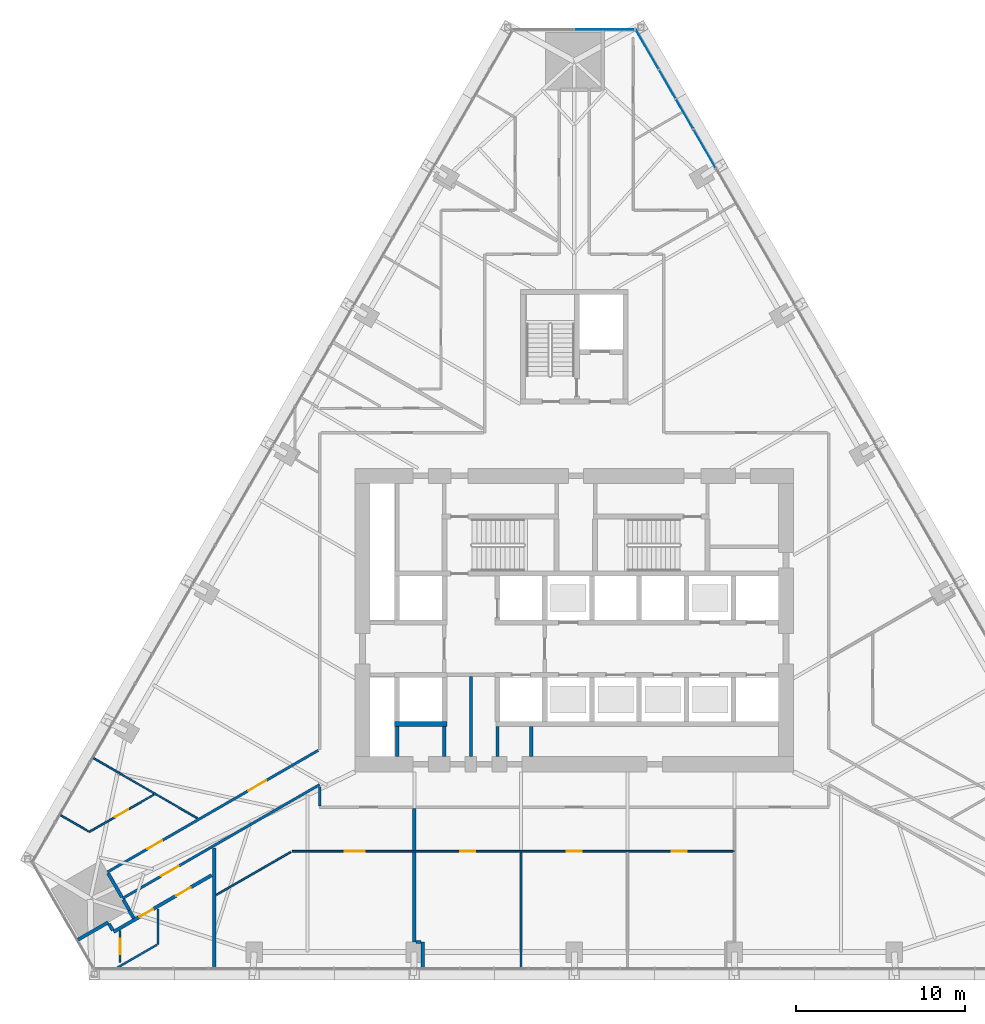
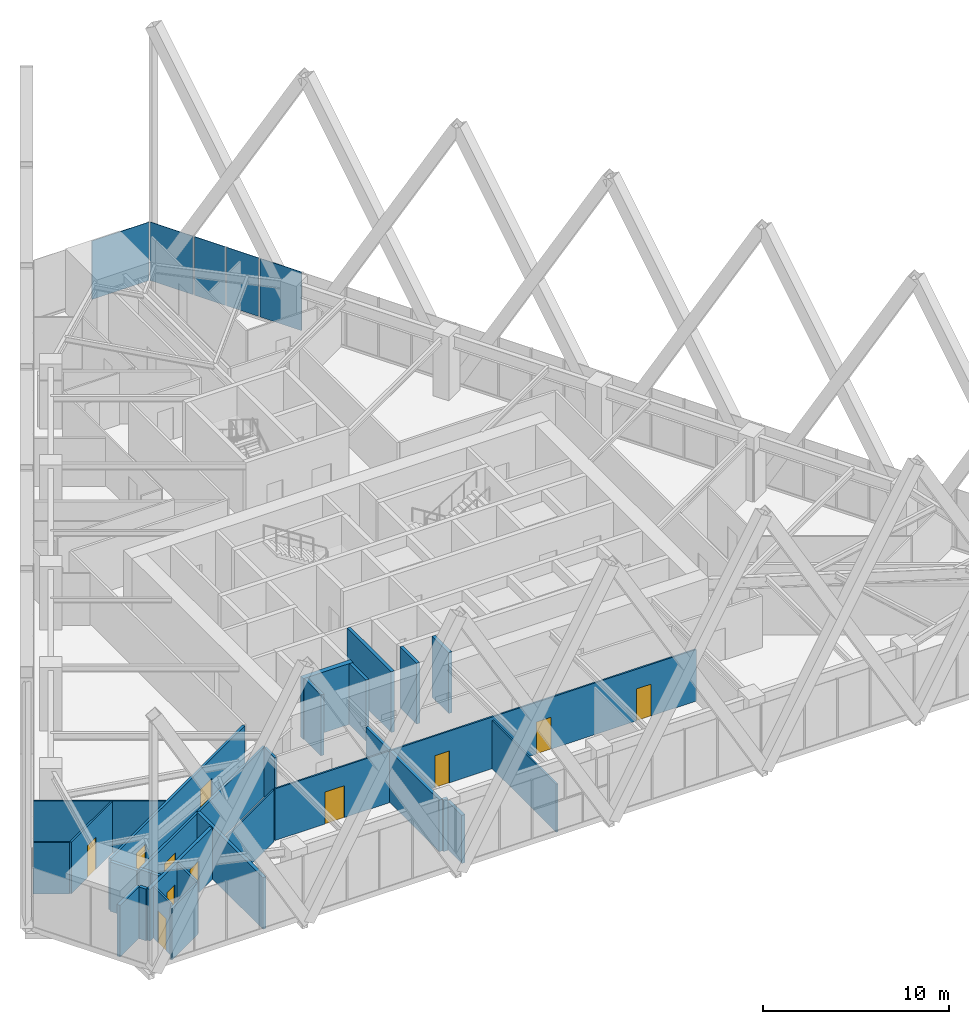
# One storey, part 15 of 21: 29 walls, 11 doors, 5 plates, 11 openings, 2 elements without a shape of their own.
"""IFC4 building model written with IfcOpenShell, lengths in metres."""

from ifc_helpers import new_model, si_unit, direction, frame, frame_2d, origin, place, context, subcontext, project, spatial, polyline, rectangle, outline, extrude, material, layer, layer_set, type_object, element, fill, aggregate, save


model = new_model("IFC4")

# Units and contexts
model_context = context("Model", 3, precision=1e-05, world=origin(), true_north=direction((0.0, 1.0)))
body_context = subcontext(model_context, "Body", "Model", "MODEL_VIEW")
ifc_project = project(units=[si_unit("LENGTHUNIT", "METRE"), si_unit("AREAUNIT", "SQUARE_METRE"), si_unit("VOLUMEUNIT", "CUBIC_METRE"), si_unit("PLANEANGLEUNIT", "RADIAN"), si_unit("MASSUNIT", "GRAM", prefix="KILO")], contexts=[model_context])

# Site, building, storey
site_placement = place(None, origin())
site = spatial("IfcSite", under=ifc_project, at=site_placement, CompositionType="ELEMENT")
building_placement = place(site_placement, origin())
building = spatial("IfcBuilding", under=site, at=building_placement, Name="Firuza Gate Tower and Library", CompositionType="ELEMENT")
storey_placement = place(building_placement, frame((0.0, 0.0, 73.60009765625)))
storey = spatial("IfcBuildingStorey", under=building, at=storey_placement, Name="L16", CompositionType="ELEMENT", Elevation=73.60009765625)

# Curtain wall, plate
ifc_material_1 = material(Name="Aluminium 6063-T6", Category="aluminium")
ifc_layer_1 = layer(ifc_material_1, 0.14990234375)
ifc_layer_set_1 = layer_set([ifc_layer_1], Name="Corner curtain wall, chamfers")
curtain_wall_type_1 = type_object("IfcCurtainWallType", Name="Corner curtain wall, chamfers", PredefinedType="NOTDEFINED", material=ifc_layer_set_1)
placement = place(storey_placement, origin())
curtain_wall_1 = element("IfcCurtainWall", 1, at=placement, inside=storey, type_object=curtain_wall_type_1, Name="CW4 L16 N corner", PredefinedType="NOTDEFINED")
ifc_material_2 = material(Name="Fritted glass", Category="glass")
ifc_layer_2 = layer(ifc_material_2, 0.030029296875)
ifc_layer_set_2 = layer_set([ifc_layer_2], Name="Fritted glass unit, corners")
plate_type_1 = type_object("IfcPlateType", Name="Fritted glass unit, corners", PredefinedType="CURTAIN_PANEL", material=ifc_layer_set_2)
plate_1_placement = place(storey_placement, frame((78.603271484375, 110.026611328125, 0.14990234375), z_axis=(0.0, 1.0, 0.0), x_axis=(-1.0, 0.0, 0.0)))
plate_1 = element("IfcPlate", 2, at=plate_1_placement, type_object=plate_type_1, Name="Glass unit", PredefinedType="CURTAIN_PANEL", context=body_context, shape_type="SweptSolid", body=[
    extrude(outline(polyline([(0.0, 0.0), (3.563232421875, 0.0), (3.563232421875, 3.85009765625), (0.0, 3.85009765625), (0.0, 0.0)])), origin(), (0.0, 0.0, -1.0), 0.030029296875),
])
aggregate(curtain_wall_1, [plate_1])

# Curtain wall, plates
ifc_material_3 = material(Name="Aluminium 6063-T6", Category="aluminium")
ifc_layer_3 = layer(ifc_material_3, 0.14990234375)
ifc_layer_set_3 = layer_set([ifc_layer_3], Name="Unitised curtain wall, offices")
curtain_wall_type_2 = type_object("IfcCurtainWallType", Name="Unitised curtain wall, offices", PredefinedType="NOTDEFINED", material=ifc_layer_set_3)
curtain_wall_2 = element("IfcCurtainWall", 3, at=placement, inside=storey, type_object=curtain_wall_type_2, Name="CW1 L16 E face", PredefinedType="NOTDEFINED")
ifc_material_4 = material(Name="Fritted glass", Category="glass")
ifc_layer_4 = layer(ifc_material_4, 0.030029296875)
ifc_layer_set_4 = layer_set([ifc_layer_4], Name="Fritted glass unit, offices")
plate_type_2 = type_object("IfcPlateType", Name="Fritted glass unit, offices", PredefinedType="CURTAIN_PANEL", material=ifc_layer_set_4)
plate_2_placement = place(storey_placement, frame((82.0478515625, 104.14453125, 0.14990234375), z_axis=(0.86604893727, 0.499959236591, 0.0), x_axis=(-0.499959236591, 0.86604893727, 0.0)))
plate_2 = element("IfcPlate", 4, at=plate_2_placement, type_object=plate_type_2, Name="Glass unit", PredefinedType="CURTAIN_PANEL", context=body_context, shape_type="SweptSolid", body=[
    extrude(outline(polyline([(0.0, 0.0), (1.9933265720713123, 0.0), (1.9933265720713123, 3.85009765625), (0.0, 3.85009765625), (0.0, 0.0)])), origin(), (0.0, 0.0, -1.0), 0.030029296875),
])
plate_3_placement = place(storey_placement, frame((81.01123046875, 105.940185546875, 0.14990234375), z_axis=(0.866005709019, 0.500034110783, 0.0), x_axis=(-0.500034110783, 0.866005709019, 0.0)))
plate_3 = element("IfcPlate", 5, at=plate_3_placement, type_object=plate_type_2, Name="Glass unit", PredefinedType="CURTAIN_PANEL", context=body_context, shape_type="SweptSolid", body=[
    extrude(outline(polyline([(0.0, 0.0), (1.9212556476795428, 0.0), (1.9212556476795428, 3.85009765625), (0.0, 3.85009765625), (0.0, 0.0)])), origin(), (0.0, 0.0, -1.0), 0.030029296875),
])
ifc_material_5 = material(Name="Glazed ceramic tile")
ifc_layer_5 = layer(ifc_material_5, 0.030029296875)
ifc_layer_set_5 = layer_set([ifc_layer_5], Name="Opaque ceramic panel, offices")
plate_type_3 = type_object("IfcPlateType", Name="Opaque ceramic panel, offices", PredefinedType="CURTAIN_PANEL", material=ifc_layer_set_5)
plate_4_placement = place(storey_placement, frame((83.38623046875, 101.82666015625, 0.14990234375), z_axis=(0.866000809756, 0.500042595688, 0.0), x_axis=(-0.500042595688, 0.866000809756, 0.0)))
plate_4 = element("IfcPlate", 6, at=plate_4_placement, type_object=plate_type_3, Name="Opaque ceramic panel", PredefinedType="CURTAIN_PANEL", context=body_context, shape_type="SweptSolid", body=[
    extrude(outline(polyline([(0.0, 0.0), (2.5964584916306648, 0.0), (2.5964584916306648, 3.85009765625), (0.0, 3.85009765625), (0.0, 0.0)])), origin(), (0.0, 0.0, -1.0), 0.030029296875),
])
plate_5_placement = place(storey_placement, frame((80.010498046875, 107.67333984375, 0.14990234375), z_axis=(0.866033233673, 0.499986437991, 0.0), x_axis=(-0.499986437991, 0.866033233673, 0.0)))
plate_5 = element("IfcPlate", 7, at=plate_5_placement, type_object=plate_type_3, Name="Opaque ceramic panel", PredefinedType="CURTAIN_PANEL", context=body_context, shape_type="SweptSolid", body=[
    extrude(outline(polyline([(0.0, 0.0), (2.6685294124911483, 0.0), (2.6685294124911483, 3.85009765625), (0.0, 3.85009765625), (0.0, 0.0)])), origin(), (0.0, 0.0, -1.0), 0.030029296875),
])
aggregate(curtain_wall_2, [plate_4, plate_2, plate_3, plate_5])

# Walls
ifc_material_6 = material(Name="Plasterboard on steel studs", Category="steel")
ifc_layer_6 = layer(ifc_material_6, 0.199951171875)
ifc_layer_set_6 = layer_set([ifc_layer_6], Name="Core partition 200 EI 120")
wall_type_1 = type_object("IfcWallType", Name="Core partition 200 EI 120", PredefinedType="PARTITIONING", material=ifc_layer_set_6)
for number, where, z_axis, x_axis, name in (
    (8, (64.5, 66.89990234375, 0.0), (0.0, 0.0, 1.0), (0.0, 1.0, 0.0), "Core partition L16 5"),
    (9, (67.300048828125, 66.89990234375, 0.0), (0.0, 0.0, 1.0), (0.0, 1.0, 0.0), "Core partition L16 7"),
):
    element("IfcWall", number, at=place(storey_placement, frame(where, z_axis=z_axis, x_axis=x_axis)), inside=storey, type_object=wall_type_1, Name=name, PredefinedType="PARTITIONING", context=body_context, shape_type="SweptSolid", body=[
        extrude(rectangle(XDim=1.800048828125, YDim=0.199951171875, at=frame_2d((0.89990234375, 0.0))), origin(), (0.0, 0.0, 1.0), 4.0),
    ])
wall_1_placement = place(storey_placement, frame((68.875, 66.89990234375, 0.0), z_axis=(0.0, 0.0, 1.0), x_axis=(0.0, 1.0, 0.0)))
element("IfcWall", 10, at=wall_1_placement, inside=storey, type_object=wall_type_1, Name="Core partition L16 10", PredefinedType="PARTITIONING", context=body_context, shape_type="SweptSolid", body=[
    extrude(rectangle(XDim=4.75, YDim=0.199951171875, at=frame_2d((2.375, 0.0))), origin(), (0.0, 0.0, 1.0), 4.0),
])
for number, where, z_axis, x_axis, name in (
    (11, (70.449951171875, 66.89990234375, 0.0), (0.0, 0.0, 1.0), (0.0, 1.0, 0.0), "Core partition L16 11"),
    (12, (72.447998046875, 66.89990234375, 0.0), (0.0, 0.0, 1.0), (0.0, 1.0, 0.0), "Core partition L16 12"),
):
    element("IfcWall", number, at=place(storey_placement, frame(where, z_axis=z_axis, x_axis=x_axis)), inside=storey, type_object=wall_type_1, Name=name, PredefinedType="PARTITIONING", context=body_context, shape_type="SweptSolid", body=[
        extrude(rectangle(XDim=1.800048828125, YDim=0.199951171875, at=frame_2d((0.89990234375, 0.0))), origin(), (0.0, 0.0, 1.0), 4.0),
    ])
ifc_material_7 = material(Name="Concrete C80/95", Category="concrete")
ifc_layer_7 = layer(ifc_material_7, 0.300048828125)
ifc_layer_set_7 = layer_set([ifc_layer_7], Name="Core wall 300 C80/95")
wall_type_2 = type_object("IfcWallType", Name="Core wall 300 C80/95", PredefinedType="SHEAR", material=ifc_layer_set_7)
wall_2_placement = place(storey_placement, frame((64.35009765625, 68.85009765625, 0.0), z_axis=(0.0, 0.0, 1.0), x_axis=(1.0, 0.0, 0.0)))
element("IfcWall", 13, at=wall_2_placement, inside=storey, type_object=wall_type_2, Name="Core wall L16 5", PredefinedType="SHEAR", context=body_context, shape_type="SweptSolid", body=[
    extrude(rectangle(XDim=3.099853515625, YDim=0.300048828125, at=frame_2d((1.5498046875, 0.0))), origin(), (0.0, 0.0, 1.0), 4.0),
])

# Wall, opening, door
ifc_material_8 = material(Name="Gypsum board partition")
ifc_layer_8 = layer(ifc_material_8, 0.14990234375)
ifc_layer_set_8 = layer_set([ifc_layer_8], Name="Corridor wall 150 double board on steel studs")
wall_type_3 = type_object("IfcWallType", Name="Corridor wall 150 double board on steel studs", PredefinedType="PARTITIONING", material=ifc_layer_set_8)
wall_3_placement = place(storey_placement, frame((59.89990234375, 65.242919921875, 0.0), z_axis=(0.0, 0.0, 1.0), x_axis=(-0.866023326939, -0.500003597184, 0.0)))
wall_3 = element("IfcWall", 14, at=wall_3_placement, inside=storey, type_object=wall_type_3, Name="f:L16:w020", PredefinedType="PARTITIONING", context=body_context, shape_type="SweptSolid", body=[
    extrude(rectangle(XDim=13.48046875, YDim=0.14990234375, at=frame_2d((6.740234375, 0.0))), origin(), (0.0, 0.0, 1.0), 3.246826171875),
])
opening_1_placement = place(wall_3_placement, frame((9.642578125, 0.0, 0.0)))
opening_1 = element("IfcOpeningElement", 15, at=opening_1_placement, cuts=wall_3, Name="Opening L16-18", PredefinedType="OPENING", context=body_context, shape_type="SweptSolid", body=[
    extrude(rectangle(XDim=1.199951171875, YDim=2.10009765625, at=frame_2d((0.60009765625, 1.050048828125))), frame((0.0, 0.0849609375, 0.0), z_axis=(0.0, -1.0, 0.0), x_axis=(1.0, 0.0, 0.0)), (0.0, 0.0, 1.0), 0.169921875),
])
ifc_material_9 = material(Name="Steel door and timber leaf", Category="steel")
door_type_1 = type_object("IfcDoorType", Name="Fire door 1200 x 2100 steel frame, double leaf", OperationType="NOTDEFINED", PredefinedType="DOOR", material=ifc_material_9)
door_1_placement = place(opening_1_placement, origin())
door_1 = element("IfcDoor", 16, at=door_1_placement, inside=storey, type_object=door_type_1, Name="f:L16:d018", OperationType="DOUBLE_DOOR_SINGLE_SWING", OverallHeight=2.10009765625, OverallWidth=1.199951171875, PredefinedType="DOOR", context=body_context, shape_type="SweptSolid", body=[
    extrude(rectangle(XDim=1.199951171875, YDim=2.10009765625, at=frame_2d((0.60009765625, 1.050048828125))), frame((0.0, 0.02490234375, 0.0), z_axis=(0.0, -1.0, 0.0), x_axis=(1.0, 0.0, 0.0)), (0.0, 0.0, 1.0), 0.050048828125),
])
fill(opening_1, door_1)

# Wall, openings, doors
wall_4_placement = place(storey_placement, frame((47.32763671875, 60.062744140625, 0.0), z_axis=(0.0, 0.0, 1.0), x_axis=(0.86602527873, 0.500000216601, 0.0)))
wall_4 = element("IfcWall", 17, at=wall_4_placement, inside=storey, type_object=wall_type_3, Name="f:L16:w021", PredefinedType="PARTITIONING", context=body_context, shape_type="SweptSolid", body=[
    extrude(rectangle(XDim=14.4306640625, YDim=0.14990234375, at=frame_2d((7.21533203125, 0.0))), origin(), (0.0, 0.0, 1.0), 3.39990234375),
])
opening_2_placement = place(wall_4_placement, frame((2.736572265625, 0.0, 0.0)))
opening_2 = element("IfcOpeningElement", 18, at=opening_2_placement, cuts=wall_4, Name="Opening L16-19", PredefinedType="OPENING", context=body_context, shape_type="SweptSolid", body=[
    extrude(rectangle(XDim=1.0, YDim=2.10009765625, at=frame_2d((0.5, 1.050048828125))), frame((0.0, 0.0849609375, 0.0), z_axis=(0.0, -1.0, 0.0), x_axis=(1.0, 0.0, 0.0)), (0.0, 0.0, 1.0), 0.169921875),
])
opening_3_placement = place(wall_4_placement, frame((9.648681640625, 0.0, 0.0)))
opening_3 = element("IfcOpeningElement", 19, at=opening_3_placement, cuts=wall_4, Name="Opening L16-20", PredefinedType="OPENING", context=body_context, shape_type="SweptSolid", body=[
    extrude(rectangle(XDim=1.199951171875, YDim=2.10009765625, at=frame_2d((0.60009765625, 1.050048828125))), frame((0.0, 0.0849609375, 0.0), z_axis=(0.0, -1.0, 0.0), x_axis=(1.0, 0.0, 0.0)), (0.0, 0.0, 1.0), 0.169921875),
])
ifc_material_10 = material(Name="Steel door and timber leaf", Category="steel")
door_type_2 = type_object("IfcDoorType", Name="Fire door 1000 x 2100 steel frame, timber leaf", OperationType="NOTDEFINED", PredefinedType="DOOR", material=ifc_material_10)
door_2_placement = place(opening_2_placement, origin())
door_2 = element("IfcDoor", 20, at=door_2_placement, inside=storey, type_object=door_type_2, Name="f:L16:d019", OperationType="SINGLE_SWING_LEFT", OverallHeight=2.10009765625, OverallWidth=1.0, PredefinedType="DOOR", context=body_context, shape_type="SweptSolid", body=[
    extrude(rectangle(XDim=1.0, YDim=2.10009765625, at=frame_2d((0.5, 1.050048828125))), frame((0.0, 0.02490234375, 0.0), z_axis=(0.0, -1.0, 0.0), x_axis=(1.0, 0.0, 0.0)), (0.0, 0.0, 1.0), 0.050048828125),
])
fill(opening_2, door_2)
door_3_placement = place(opening_3_placement, origin())
door_3 = element("IfcDoor", 21, at=door_3_placement, inside=storey, type_object=door_type_1, Name="f:L16:d020", OperationType="DOUBLE_DOOR_SINGLE_SWING", OverallHeight=2.10009765625, OverallWidth=1.199951171875, PredefinedType="DOOR", context=body_context, shape_type="SweptSolid", body=[
    extrude(rectangle(XDim=1.199951171875, YDim=2.10009765625, at=frame_2d((0.60009765625, 1.050048828125))), frame((0.0, 0.02490234375, 0.0), z_axis=(0.0, -1.0, 0.0), x_axis=(1.0, 0.0, 0.0)), (0.0, 0.0, 1.0), 0.050048828125),
])
fill(opening_3, door_3)

# Walls
wall_5_placement = place(storey_placement, frame((59.89990234375, 63.97509765625, 0.0), z_axis=(0.0, 0.0, 1.0), x_axis=(0.0, 1.0, 0.0)))
element("IfcWall", 22, at=wall_5_placement, inside=storey, type_object=wall_type_3, Name="f:L16:w048", PredefinedType="PARTITIONING", context=body_context, shape_type="SweptSolid", body=[
    extrude(rectangle(XDim=1.131103515625, YDim=0.14990234375, at=frame_2d((0.5654296875, 0.0))), origin(), (0.0, 0.0, 1.0), 3.246826171875),
])
ifc_material_11 = material(Name="Gypsum board partition")
ifc_layer_9 = layer(ifc_material_11, 0.199951171875)
ifc_layer_set_9 = layer_set([ifc_layer_9], Name="Demising wall 200 acoustic double stud")
wall_type_4 = type_object("IfcWallType", Name="Demising wall 200 acoustic double stud", PredefinedType="PARTITIONING", material=ifc_layer_set_9)
wall_6_placement = place(storey_placement, frame((65.624755859375, 55.9140625, 0.0), z_axis=(0.0, 0.0, 1.0), x_axis=(1.0, 0.0, 0.0)))
element("IfcWall", 23, at=wall_6_placement, inside=storey, type_object=wall_type_4, Name="f:L16:w000", PredefinedType="PARTITIONING", context=body_context, shape_type="SweptSolid", body=[
    extrude(rectangle(XDim=0.2900390625, YDim=0.199951171875, at=frame_2d((0.14501953125, 0.0))), origin(), (0.0, 0.0, 1.0), 3.39990234375),
])

# Wall, openings, doors
wall_7_placement = place(storey_placement, frame((47.694580078125, 56.521240234375, 0.0), z_axis=(0.0, 0.0, 1.0), x_axis=(0.86602261799, 0.500004825106, 0.0)))
wall_7 = element("IfcWall", 24, at=wall_7_placement, inside=storey, type_object=wall_type_4, Name="f:L16:w018", PredefinedType="PARTITIONING", context=body_context, shape_type="SweptSolid", body=[
    extrude(rectangle(XDim=6.7109375, YDim=0.199951171875, at=frame_2d((3.35546875, 0.0))), origin(), (0.0, 0.0, 1.0), 3.39990234375),
])
opening_4_placement = place(wall_7_placement, frame((1.77880859375, 0.0, 0.0)))
opening_4 = element("IfcOpeningElement", 25, at=opening_4_placement, cuts=wall_7, Name="Opening L16-16", PredefinedType="OPENING", context=body_context, shape_type="SweptSolid", body=[
    extrude(rectangle(XDim=0.89990234375, YDim=2.10009765625, at=frame_2d((0.449951171875, 1.050048828125))), frame((0.0, 0.10986328125, 0.0), z_axis=(0.0, -1.0, 0.0), x_axis=(1.0, 0.0, 0.0)), (0.0, 0.0, 1.0), 0.219970703125),
])
opening_5_placement = place(wall_7_placement, frame((4.265625, 0.0, 0.0)))
opening_5 = element("IfcOpeningElement", 26, at=opening_5_placement, cuts=wall_7, Name="Opening L16-17", PredefinedType="OPENING", context=body_context, shape_type="SweptSolid", body=[
    extrude(rectangle(XDim=1.0, YDim=2.10009765625, at=frame_2d((0.5, 1.050048828125))), frame((0.0, 0.10986328125, 0.0), z_axis=(0.0, -1.0, 0.0), x_axis=(1.0, 0.0, 0.0)), (0.0, 0.0, 1.0), 0.219970703125),
])
ifc_material_12 = material(Name="Timber door", Category="wood")
door_type_3 = type_object("IfcDoorType", Name="Door 1000 x 2100 timber leaf", OperationType="NOTDEFINED", PredefinedType="DOOR", material=ifc_material_12)
door_4_placement = place(opening_5_placement, origin())
door_4 = element("IfcDoor", 27, at=door_4_placement, inside=storey, type_object=door_type_3, Name="f:L16:d017", OperationType="SINGLE_SWING_RIGHT", OverallHeight=2.10009765625, OverallWidth=1.0, PredefinedType="DOOR", context=body_context, shape_type="SweptSolid", body=[
    extrude(rectangle(XDim=1.0, YDim=2.10009765625, at=frame_2d((0.5, 1.050048828125))), frame((0.0, 0.02490234375, 0.0), z_axis=(0.0, -1.0, 0.0), x_axis=(1.0, 0.0, 0.0)), (0.0, 0.0, 1.0), 0.050048828125),
])
fill(opening_5, door_4)
ifc_material_13 = material(Name="Timber door", Category="wood")
door_type_4 = type_object("IfcDoorType", Name="Door 900 x 2100 timber leaf", OperationType="NOTDEFINED", PredefinedType="DOOR", material=ifc_material_13)
door_5_placement = place(opening_4_placement, origin())
door_5 = element("IfcDoor", 28, at=door_5_placement, inside=storey, type_object=door_type_4, Name="f:L16:d016", OperationType="SINGLE_SWING_LEFT", OverallHeight=2.10009765625, OverallWidth=0.89990234375, PredefinedType="DOOR", context=body_context, shape_type="SweptSolid", body=[
    extrude(rectangle(XDim=0.89990234375, YDim=2.10009765625, at=frame_2d((0.449951171875, 1.050048828125))), frame((0.0, 0.02490234375, 0.0), z_axis=(0.0, -1.0, 0.0), x_axis=(1.0, 0.0, 0.0)), (0.0, 0.0, 1.0), 0.050048828125),
])
fill(opening_4, door_5)

# Walls
wall_8_placement = place(storey_placement, frame((45.5419921875, 56.029541015625, 0.0), z_axis=(0.0, 0.0, 1.0), x_axis=(0.866062227083, 0.499936214752, 0.0)))
element("IfcWall", 29, at=wall_8_placement, inside=storey, type_object=wall_type_4, Name="f:L16:w019", PredefinedType="PARTITIONING", context=body_context, shape_type="SweptSolid", body=[
    extrude(rectangle(XDim=2.109130859375, YDim=0.199951171875, at=frame_2d((1.0546875, 0.0))), origin(), (0.0, 0.0, 1.0), 3.39990234375),
])
wall_9_placement = place(storey_placement, frame((66.014892578125, 54.35400390625, 0.0), z_axis=(0.0, 0.0, 1.0), x_axis=(0.0, 1.0, 0.0)))
element("IfcWall", 30, at=wall_9_placement, inside=storey, type_object=wall_type_4, Name="f:L16:w046", PredefinedType="PARTITIONING", context=body_context, shape_type="SweptSolid", body=[
    extrude(rectangle(XDim=1.56005859375, YDim=0.199951171875, at=frame_2d((0.780029296875, 0.0))), origin(), (0.0, 0.0, 1.0), 3.164794921875),
])
wall_10_placement = place(storey_placement, frame((65.514892578125, 55.9140625, 0.0), z_axis=(0.0, 0.0, 1.0), x_axis=(0.0, 1.0, 0.0)))
element("IfcWall", 31, at=wall_10_placement, inside=storey, type_object=wall_type_4, Name="f:L16:w047", PredefinedType="PARTITIONING", context=body_context, shape_type="SweptSolid", body=[
    extrude(rectangle(XDim=5.3359375, YDim=0.199951171875, at=frame_2d((2.66796875, 0.0))), origin(), (0.0, 0.0, 1.0), 3.39990234375),
])
wall_11_placement = place(storey_placement, frame((53.657958984375, 54.35400390625, 0.0), z_axis=(0.0, 0.0, 1.0), x_axis=(0.0, 1.0, 0.0)))
element("IfcWall", 32, at=wall_11_placement, inside=storey, type_object=wall_type_4, Name="f:L16:w051", PredefinedType="PARTITIONING", context=body_context, shape_type="SweptSolid", body=[
    extrude(rectangle(XDim=7.138427734375, YDim=0.199951171875, at=frame_2d((3.5693359375, 0.0))), origin(), (0.0, 0.0, 1.0), 3.39990234375),
])
wall_12_placement = place(storey_placement, frame((48.62451171875, 57.809814453125, 0.0), z_axis=(0.0, 0.0, 1.0), x_axis=(-0.500053022251, 0.865994789209, 0.0)))
element("IfcWall", 33, at=wall_12_placement, inside=storey, type_object=wall_type_4, Name="f:L16:w056", PredefinedType="PARTITIONING", context=body_context, shape_type="SweptSolid", body=[
    extrude(rectangle(XDim=0.724609375, YDim=0.199951171875, at=frame_2d((0.3623046875, 0.0))), origin(), (0.0, 0.0, 1.0), 3.39990234375),
])
wall_13_placement = place(storey_placement, frame((48.88330078125, 57.323486328125, 0.0), z_axis=(0.0, 0.0, 1.0), x_axis=(-0.499914787221, 0.866074595816, 0.0)))
element("IfcWall", 34, at=wall_13_placement, inside=storey, type_object=wall_type_4, Name="f:L16:w057", PredefinedType="PARTITIONING", context=body_context, shape_type="SweptSolid", body=[
    extrude(rectangle(XDim=0.54931640625, YDim=0.199951171875, at=frame_2d((0.274658203125, 0.0))), origin(), (0.0, 0.0, 1.0), 3.39990234375),
])
wall_14_placement = place(storey_placement, frame((47.64404296875, 56.60791015625, 0.0), z_axis=(0.0, 0.0, 1.0), x_axis=(-0.499644091975, 0.866230789891, 0.0)))
element("IfcWall", 35, at=wall_14_placement, inside=storey, type_object=wall_type_4, Name="f:L16:w058", PredefinedType="PARTITIONING", context=body_context, shape_type="SweptSolid", body=[
    extrude(rectangle(XDim=0.449462890625, YDim=0.199951171875, at=frame_2d((0.224609375, 0.0))), origin(), (0.0, 0.0, 1.0), 3.39990234375),
])
wall_15_placement = place(storey_placement, frame((48.187255859375, 58.567138671875, 0.0), z_axis=(0.0, 0.0, 1.0), x_axis=(-0.500013311227, 0.866017718408, 0.0)))
element("IfcWall", 36, at=wall_15_placement, inside=storey, type_object=wall_type_4, Name="f:L16:w078", PredefinedType="PARTITIONING", context=body_context, shape_type="SweptSolid", body=[
    extrude(rectangle(XDim=1.64697265625, YDim=0.199951171875, at=frame_2d((0.823486328125, 0.0))), origin(), (0.0, 0.0, 1.0), 3.246826171875),
])
wall_16_placement = place(storey_placement, frame((65.514892578125, 61.35009765625, 0.0), z_axis=(0.0, 0.0, 1.0), x_axis=(0.0, 1.0, 0.0)))
element("IfcWall", 37, at=wall_16_placement, inside=storey, type_object=wall_type_4, Name="f:L16:w079", PredefinedType="PARTITIONING", context=body_context, shape_type="SweptSolid", body=[
    extrude(rectangle(XDim=2.474853515625, YDim=0.199951171875, at=frame_2d((1.2373046875, 0.0))), origin(), (0.0, 0.0, 1.0), 3.39990234375),
])

# Wall, openings, doors
ifc_material_14 = material(Name="Gypsum board partition")
ifc_layer_10 = layer(ifc_material_14, 0.10009765625)
ifc_layer_set_10 = layer_set([ifc_layer_10], Name="Partition 100 gypsum board on steel studs")
wall_type_5 = type_object("IfcWallType", Name="Partition 100 gypsum board on steel studs", PredefinedType="PARTITIONING", material=ifc_layer_set_10)
wall_17_placement = place(storey_placement, frame((58.27099609375, 61.300048828125, 0.0), z_axis=(0.0, 0.0, 1.0), x_axis=(1.0, 0.0, 0.0)))
wall_17 = element("IfcWall", 38, at=wall_17_placement, inside=storey, type_object=wall_type_5, Name="f:L16:w002", PredefinedType="PARTITIONING", context=body_context, shape_type="SweptSolid", body=[
    extrude(rectangle(XDim=26.21435546875, YDim=0.10009765625, at=frame_2d((13.107177734375, 0.0))), origin(), (0.0, 0.0, 1.0), 3.39990234375),
])
opening_6_placement = place(wall_17_placement, frame((3.121826171875, 0.0, 0.0)))
opening_6 = element("IfcOpeningElement", 39, at=opening_6_placement, cuts=wall_17, Name="Opening L16-01", PredefinedType="OPENING", context=body_context, shape_type="SweptSolid", body=[
    extrude(rectangle(XDim=1.199951171875, YDim=2.10009765625, at=frame_2d((0.60009765625, 1.050048828125))), frame((0.0, 0.06005859375, 0.0), z_axis=(0.0, -1.0, 0.0), x_axis=(1.0, 0.0, 0.0)), (0.0, 0.0, 1.0), 0.1201171875),
])
opening_7_placement = place(wall_17_placement, frame((9.95703125, 0.0, 0.0)))
opening_7 = element("IfcOpeningElement", 40, at=opening_7_placement, cuts=wall_17, Name="Opening L16-02", PredefinedType="OPENING", context=body_context, shape_type="SweptSolid", body=[
    extrude(rectangle(XDim=0.89990234375, YDim=2.10009765625, at=frame_2d((0.449951171875, 1.050048828125))), frame((0.0, 0.06005859375, 0.0), z_axis=(0.0, -1.0, 0.0), x_axis=(1.0, 0.0, 0.0)), (0.0, 0.0, 1.0), 0.1201171875),
])
opening_8_placement = place(wall_17_placement, frame((16.279052734375, 0.0, 0.0)))
opening_8 = element("IfcOpeningElement", 41, at=opening_8_placement, cuts=wall_17, Name="Opening L16-03", PredefinedType="OPENING", context=body_context, shape_type="SweptSolid", body=[
    extrude(rectangle(XDim=0.89990234375, YDim=2.10009765625, at=frame_2d((0.449951171875, 1.050048828125))), frame((0.0, 0.06005859375, 0.0), z_axis=(0.0, -1.0, 0.0), x_axis=(1.0, 0.0, 0.0)), (0.0, 0.0, 1.0), 0.1201171875),
])
opening_9_placement = place(wall_17_placement, frame((22.501220703125, 0.0, 0.0)))
opening_9 = element("IfcOpeningElement", 42, at=opening_9_placement, cuts=wall_17, Name="Opening L16-04", PredefinedType="OPENING", context=body_context, shape_type="SweptSolid", body=[
    extrude(rectangle(XDim=0.89990234375, YDim=2.10009765625, at=frame_2d((0.449951171875, 1.050048828125))), frame((0.0, 0.06005859375, 0.0), z_axis=(0.0, -1.0, 0.0), x_axis=(1.0, 0.0, 0.0)), (0.0, 0.0, 1.0), 0.1201171875),
])
ifc_material_15 = material(Name="Glazed aluminium door", Category="aluminium")
door_type_5 = type_object("IfcDoorType", Name="Door 1200 x 2100 glazed double leaf", OperationType="NOTDEFINED", PredefinedType="DOOR", material=ifc_material_15)
door_6_placement = place(opening_6_placement, origin())
door_6 = element("IfcDoor", 43, at=door_6_placement, inside=storey, type_object=door_type_5, Name="f:L16:d001", OperationType="DOUBLE_DOOR_SINGLE_SWING", OverallHeight=2.10009765625, OverallWidth=1.199951171875, PredefinedType="DOOR", context=body_context, shape_type="SweptSolid", body=[
    extrude(rectangle(XDim=1.199951171875, YDim=2.10009765625, at=frame_2d((0.60009765625, 1.050048828125))), frame((0.0, 0.02490234375, 0.0), z_axis=(0.0, -1.0, 0.0), x_axis=(1.0, 0.0, 0.0)), (0.0, 0.0, 1.0), 0.050048828125),
])
fill(opening_6, door_6)
door_7_placement = place(opening_7_placement, origin())
door_7 = element("IfcDoor", 44, at=door_7_placement, inside=storey, type_object=door_type_4, Name="f:L16:d002", OperationType="SINGLE_SWING_RIGHT", OverallHeight=2.10009765625, OverallWidth=0.89990234375, PredefinedType="DOOR", context=body_context, shape_type="SweptSolid", body=[
    extrude(rectangle(XDim=0.89990234375, YDim=2.10009765625, at=frame_2d((0.449951171875, 1.050048828125))), frame((0.0, 0.02490234375, 0.0), z_axis=(0.0, -1.0, 0.0), x_axis=(1.0, 0.0, 0.0)), (0.0, 0.0, 1.0), 0.050048828125),
])
fill(opening_7, door_7)
door_8_placement = place(opening_8_placement, origin())
door_8 = element("IfcDoor", 45, at=door_8_placement, inside=storey, type_object=door_type_4, Name="f:L16:d003", OperationType="SINGLE_SWING_LEFT", OverallHeight=2.10009765625, OverallWidth=0.89990234375, PredefinedType="DOOR", context=body_context, shape_type="SweptSolid", body=[
    extrude(rectangle(XDim=0.89990234375, YDim=2.10009765625, at=frame_2d((0.449951171875, 1.050048828125))), frame((0.0, 0.02490234375, 0.0), z_axis=(0.0, -1.0, 0.0), x_axis=(1.0, 0.0, 0.0)), (0.0, 0.0, 1.0), 0.050048828125),
])
fill(opening_8, door_8)
door_9_placement = place(opening_9_placement, origin())
door_9 = element("IfcDoor", 46, at=door_9_placement, inside=storey, type_object=door_type_4, Name="f:L16:d004", OperationType="SINGLE_SWING_RIGHT", OverallHeight=2.10009765625, OverallWidth=0.89990234375, PredefinedType="DOOR", context=body_context, shape_type="SweptSolid", body=[
    extrude(rectangle(XDim=0.89990234375, YDim=2.10009765625, at=frame_2d((0.449951171875, 1.050048828125))), frame((0.0, 0.02490234375, 0.0), z_axis=(0.0, -1.0, 0.0), x_axis=(1.0, 0.0, 0.0)), (0.0, 0.0, 1.0), 0.050048828125),
])
fill(opening_9, door_9)

# Wall
wall_18_placement = place(storey_placement, frame((53.783935546875, 58.709716796875, 0.0), z_axis=(0.0, 0.0, 1.0), x_axis=(0.866049563981, 0.499958150978, 0.0)))
element("IfcWall", 47, at=wall_18_placement, inside=storey, type_object=wall_type_5, Name="f:L16:w017", PredefinedType="PARTITIONING", context=body_context, shape_type="SweptSolid", body=[
    extrude(rectangle(XDim=5.0810546875, YDim=0.10009765625, at=frame_2d((2.54052734375, 0.0))), origin(), (0.0, 0.0, 1.0), 3.39990234375),
])

# Wall, opening, door
wall_19_placement = place(storey_placement, frame((50.08203125, 64.6552734375, 0.0), z_axis=(0.0, 0.0, 1.0), x_axis=(-0.866030989016, -0.499990325971, 0.0)))
wall_19 = element("IfcWall", 48, at=wall_19_placement, inside=storey, type_object=wall_type_5, Name="f:L16:w022", PredefinedType="PARTITIONING", context=body_context, shape_type="SweptSolid", body=[
    extrude(rectangle(XDim=4.41796875, YDim=0.10009765625, at=frame_2d((2.208984375, 0.0))), origin(), (0.0, 0.0, 1.0), 3.39990234375),
])
opening_10_placement = place(wall_19_placement, frame((1.759033203125, 0.0, 0.0)))
opening_10 = element("IfcOpeningElement", 49, at=opening_10_placement, cuts=wall_19, Name="Opening L16-21", PredefinedType="OPENING", context=body_context, shape_type="SweptSolid", body=[
    extrude(rectangle(XDim=0.89990234375, YDim=2.10009765625, at=frame_2d((0.449951171875, 1.050048828125))), frame((0.0, 0.06005859375, 0.0), z_axis=(0.0, -1.0, 0.0), x_axis=(1.0, 0.0, 0.0)), (0.0, 0.0, 1.0), 0.1201171875),
])
door_10_placement = place(opening_10_placement, origin())
door_10 = element("IfcDoor", 50, at=door_10_placement, inside=storey, type_object=door_type_4, Name="f:L16:d021", OperationType="SINGLE_SWING_LEFT", OverallHeight=2.10009765625, OverallWidth=0.89990234375, PredefinedType="DOOR", context=body_context, shape_type="SweptSolid", body=[
    extrude(rectangle(XDim=0.89990234375, YDim=2.10009765625, at=frame_2d((0.449951171875, 1.050048828125))), frame((0.0, 0.02490234375, 0.0), z_axis=(0.0, -1.0, 0.0), x_axis=(1.0, 0.0, 0.0)), (0.0, 0.0, 1.0), 0.050048828125),
])
fill(opening_10, door_10)

# Walls
wall_20_placement = place(storey_placement, frame((71.837890625, 54.35400390625, 0.0), z_axis=(0.0, 0.0, 1.0), x_axis=(0.0, 1.0, 0.0)))
element("IfcWall", 51, at=wall_20_placement, inside=storey, type_object=wall_type_5, Name="f:L16:w042", PredefinedType="PARTITIONING", context=body_context, shape_type="SweptSolid", body=[
    extrude(rectangle(XDim=6.89599609375, YDim=0.10009765625, at=frame_2d((3.447998046875, 0.0))), origin(), (0.0, 0.0, 1.0), 3.164794921875),
])
wall_21_placement = place(storey_placement, frame((52.656982421875, 63.256103515625, 0.0), z_axis=(0.0, 0.0, 1.0), x_axis=(-0.866014863173, 0.50001825643, 0.0)))
element("IfcWall", 52, at=wall_21_placement, inside=storey, type_object=wall_type_5, Name="f:L16:w071", PredefinedType="PARTITIONING", context=body_context, shape_type="SweptSolid", body=[
    extrude(rectangle(XDim=7.168212890625, YDim=0.10009765625, at=frame_2d((3.583984375, 0.0))), origin(), (0.0, 0.0, 1.0), 3.39990234375),
])
wall_22_placement = place(storey_placement, frame((46.2060546875, 62.47509765625, 0.0), z_axis=(0.0, 0.0, 1.0), x_axis=(-0.866033041146, 0.499986771468, 0.0)))
element("IfcWall", 53, at=wall_22_placement, inside=storey, type_object=wall_type_5, Name="f:L16:w072", PredefinedType="PARTITIONING", context=body_context, shape_type="SweptSolid", body=[
    extrude(rectangle(XDim=1.97216796875, YDim=0.10009765625, at=frame_2d((0.986083984375, 0.0))), origin(), (0.0, 0.0, 1.0), 3.39990234375),
])
ifc_material_16 = material(Name="Gypsum board partition")
ifc_layer_11 = layer(ifc_material_16, 0.1201171875)
ifc_layer_set_11 = layer_set([ifc_layer_11], Name="Wet-area partition 120 moisture-resistant board")
wall_type_6 = type_object("IfcWallType", Name="Wet-area partition 120 moisture-resistant board", PredefinedType="PARTITIONING", material=ifc_layer_set_11)
wall_23_placement = place(storey_placement, frame((47.840087890625, 54.35400390625, 0.0), z_axis=(0.0, 0.0, 1.0), x_axis=(0.866007574053, 0.500030880729, 0.0)))
element("IfcWall", 54, at=wall_23_placement, inside=storey, type_object=wall_type_6, Name="f:L16:w016", PredefinedType="PARTITIONING", context=body_context, shape_type="SweptSolid", body=[
    extrude(rectangle(XDim=2.786376953125, YDim=0.1201171875, at=frame_2d((1.39306640625, 0.0))), origin(), (0.0, 0.0, 1.0), 3.39990234375),
])
wall_24_placement = place(storey_placement, frame((50.31298828125, 55.7822265625, 0.0), z_axis=(0.0, 0.0, 1.0), x_axis=(0.0, 1.0, 0.0)))
element("IfcWall", 55, at=wall_24_placement, inside=storey, type_object=wall_type_6, Name="f:L16:w052", PredefinedType="PARTITIONING", context=body_context, shape_type="SweptSolid", body=[
    extrude(rectangle(XDim=2.095947265625, YDim=0.1201171875, at=frame_2d((1.0478515625, 0.0))), origin(), (0.0, 0.0, 1.0), 3.39990234375),
])

# Wall, opening, door
wall_25_placement = place(storey_placement, frame((48.083984375, 56.5908203125, 0.0), z_axis=(0.0, 0.0, 1.0), x_axis=(0.0, -1.0, 0.0)))
wall_25 = element("IfcWall", 56, at=wall_25_placement, inside=storey, type_object=wall_type_6, Name="f:L16:w053", PredefinedType="PARTITIONING", context=body_context, shape_type="SweptSolid", body=[
    extrude(rectangle(XDim=1.876708984375, YDim=0.1201171875, at=frame_2d((0.9384765625, 0.0))), origin(), (0.0, 0.0, 1.0), 3.39990234375),
])
opening_11_placement = place(wall_25_placement, frame((0.48828125, 0.0, 0.0)))
opening_11 = element("IfcOpeningElement", 57, at=opening_11_placement, cuts=wall_25, Name="Opening L16-28", PredefinedType="OPENING", context=body_context, shape_type="SweptSolid", body=[
    extrude(rectangle(XDim=0.89990234375, YDim=2.10009765625, at=frame_2d((0.449951171875, 1.050048828125))), frame((0.0, 0.070068359375, 0.0), z_axis=(0.0, -1.0, 0.0), x_axis=(1.0, 0.0, 0.0)), (0.0, 0.0, 1.0), 0.14013671875),
])
door_11_placement = place(opening_11_placement, origin())
door_11 = element("IfcDoor", 58, at=door_11_placement, inside=storey, type_object=door_type_4, Name="f:L16:d028", OperationType="SINGLE_SWING_LEFT", OverallHeight=2.10009765625, OverallWidth=0.89990234375, PredefinedType="DOOR", context=body_context, shape_type="SweptSolid", body=[
    extrude(rectangle(XDim=0.89990234375, YDim=2.10009765625, at=frame_2d((0.449951171875, 1.050048828125))), frame((0.0, 0.02490234375, 0.0), z_axis=(0.0, -1.0, 0.0), x_axis=(1.0, 0.0, 0.0)), (0.0, 0.0, 1.0), 0.050048828125),
])
fill(opening_11, door_11)

save(model, "model.ifc")
